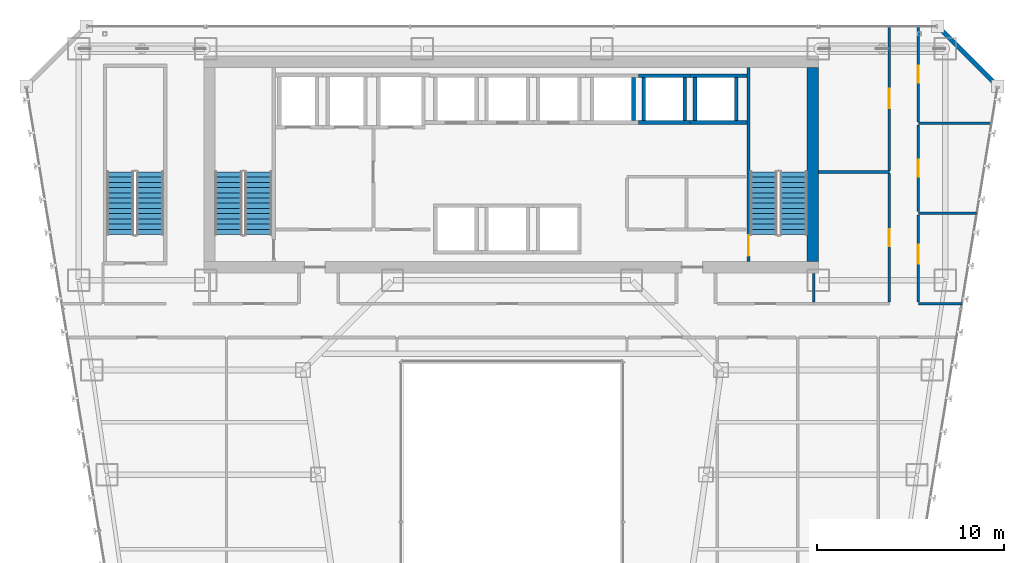
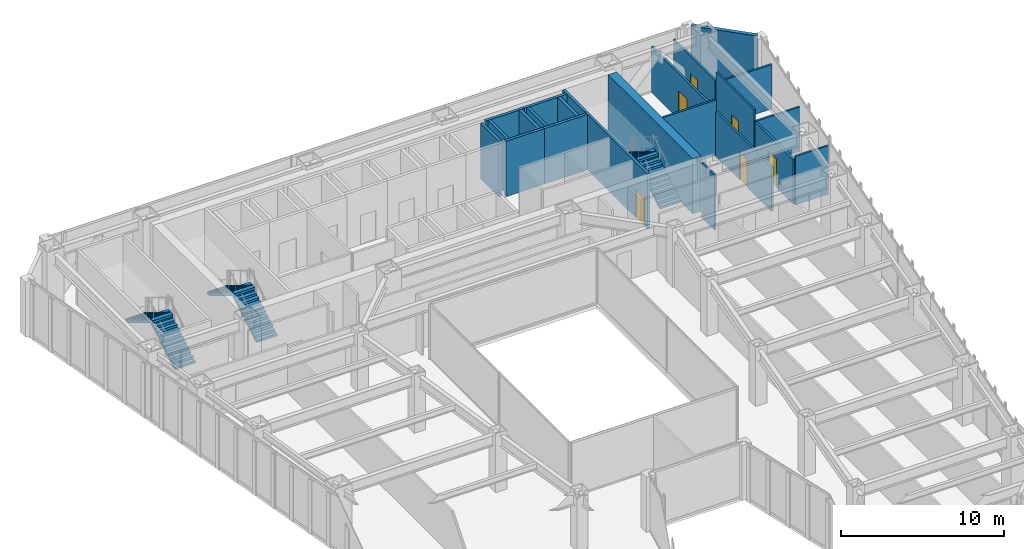
# One storey, part 38 of 47: 22 walls, 6 doors, 6 stair flights, 6 openings, 3 elements without a shape of their own.
"""IFC4 building model written with IfcOpenShell, lengths in metres."""

from ifc_helpers import new_model, si_unit, direction, frame, frame_2d, origin, place, context, subcontext, project, spatial, polyline, rectangle, outline, extrude, material, layer, layer_set, type_object, element, fill, aggregate, save


model = new_model("IFC4")

# Units and contexts
model_context = context("Model", 3, precision=1e-05, world=origin(), true_north=direction((0.0, 1.0)))
body_context = subcontext(model_context, "Body", "Model", "MODEL_VIEW")
ifc_project = project(units=[si_unit("LENGTHUNIT", "METRE"), si_unit("AREAUNIT", "SQUARE_METRE"), si_unit("VOLUMEUNIT", "CUBIC_METRE"), si_unit("PLANEANGLEUNIT", "RADIAN"), si_unit("MASSUNIT", "GRAM", prefix="KILO")], contexts=[model_context])

# Site, building, storey
site_placement = place(None, origin())
site = spatial("IfcSite", under=ifc_project, at=site_placement, CompositionType="ELEMENT")
building_placement = place(site_placement, origin())
building = spatial("IfcBuilding", under=site, at=building_placement, Name="Saevonmaru Cultural Tower", CompositionType="ELEMENT")
storey_placement = place(building_placement, frame((0.0, 0.0, 60.39990234375)))
storey = spatial("IfcBuildingStorey", under=building, at=storey_placement, Name="L12", CompositionType="ELEMENT", Elevation=60.39990234375)

# Walls
ifc_material_1 = material(Name="Concrete C60/75", Category="concrete")
ifc_layer_1 = layer(ifc_material_1, 0.60009765625, Name="Concrete C60/75")
ifc_layer_set_1 = layer_set([ifc_layer_1], Name="Concrete C60/75")
wall_type_1 = type_object("IfcWallType", Name="WL-CORE-600", PredefinedType="SHEAR", material=ifc_layer_set_1)
wall_1_placement = place(storey_placement, frame((46.10009765625, 43.39990234375, 0.0), z_axis=(0.0, 0.0, 1.0), x_axis=(0.0, 1.0, 0.0)))
element("IfcWall", 1, at=wall_1_placement, inside=storey, type_object=wall_type_1, Name="L12 Tower RC core shear wall E", PredefinedType="SHEAR", context=body_context, shape_type="SweptSolid", body=[
    extrude(rectangle(XDim=10.400146484375, YDim=0.60009765625, at=frame_2d((5.2001953125, 0.0))), origin(), (0.0, 0.0, 1.0), 4.150146484375),
])
ifc_material_2 = material(Name="Granite-Clad Precast Concrete C40/50", Category="masonry")
ifc_layer_2 = layer(ifc_material_2, 0.260009765625, Name="Granite-Clad Precast Concrete C40/50")
ifc_layer_set_2 = layer_set([ifc_layer_2], Name="Granite-Clad Precast Concrete C40/50")
wall_type_2 = type_object("IfcWallType", Name="WL-EXT-SPANDREL-260", PredefinedType="STANDARD", material=ifc_layer_set_2)
wall_2_placement = place(storey_placement, frame((55.886962890625, 52.9130859375, 0.0), z_axis=(0.0, 0.0, 1.0), x_axis=(-0.707106781187, 0.707106781187, 0.0)))
element("IfcWall", 2, at=wall_2_placement, inside=storey, type_object=wall_type_2, Name="L12 Chamfer Corner Spandrel Wall E9", PredefinedType="STANDARD", context=body_context, shape_type="SweptSolid", body=[
    extrude(rectangle(XDim=4.205810546875, YDim=0.260009765625, at=frame_2d((2.10302734375, 0.0))), origin(), (0.0, 0.0, 1.0), 4.150146484375),
])

# Wall, opening, door
ifc_material_3 = material(Name="Gypsum Fireboard Partition", Category="gypsum")
ifc_layer_3 = layer(ifc_material_3, 0.14990234375, Name="Gypsum Fireboard Partition")
ifc_layer_set_3 = layer_set([ifc_layer_3], Name="Gypsum Fireboard Partition")
wall_type_3 = type_object("IfcWallType", Name="WL-PART-FIRE-150", PredefinedType="PARTITIONING", material=ifc_layer_set_3)
wall_3_placement = place(storey_placement, frame((50.199951171875, 48.2900390625, 0.0), z_axis=(0.0, 0.0, 1.0), x_axis=(0.0, 1.0, 0.0)))
wall_3 = element("IfcWall", 3, at=wall_3_placement, inside=storey, type_object=wall_type_3, Name="L12 Permanent Exhibition Gallery Corridor Wall", PredefinedType="PARTITIONING", context=body_context, shape_type="SweptSolid", body=[
    extrude(rectangle(XDim=7.705078125, YDim=0.14990234375, at=frame_2d((3.8525390625, 0.0))), origin(), (0.0, 0.0, 1.0), 3.43505859375),
])
opening_1_placement = place(wall_3_placement, frame((3.326904296875, 0.0, 0.0)))
opening_1 = element("IfcOpeningElement", 4, at=opening_1_placement, cuts=wall_3, Name="Opening ID-1", PredefinedType="OPENING", context=body_context, shape_type="SweptSolid", body=[
    extrude(rectangle(XDim=1.050048828125, YDim=2.14990234375, at=frame_2d((0.52490234375, 1.074951171875))), frame((0.0, 0.0849609375, 0.0), z_axis=(0.0, -1.0, 0.0), x_axis=(1.0, 0.0, 0.0)), (0.0, 0.0, 1.0), 0.169921875),
])
ifc_material_4 = material(Name="Satin Bronze Anodised Aluminium", Category="aluminium")
door_type_1 = type_object("IfcDoorType", Name="DR-INT-1050", OperationType="SINGLE_SWING_LEFT", PredefinedType="DOOR", material=ifc_material_4)
door_1_placement = place(opening_1_placement, origin())
door_1 = element("IfcDoor", 5, at=door_1_placement, inside=storey, type_object=door_type_1, Name="L12 Permanent Exhibition Gallery Door", OperationType="SINGLE_SWING_LEFT", OverallHeight=2.14990234375, OverallWidth=1.050048828125, PredefinedType="DOOR", context=body_context, shape_type="SweptSolid", body=[
    extrude(rectangle(XDim=1.050048828125, YDim=2.14990234375, at=frame_2d((0.52490234375, 1.074951171875))), frame((0.0, 0.02490234375, 0.0), z_axis=(0.0, -1.0, 0.0), x_axis=(1.0, 0.0, 0.0)), (0.0, 0.0, 1.0), 0.050048828125),
])
fill(opening_1, door_1)

wall_4_placement = place(storey_placement, frame((51.75, 41.237548828125, 0.0), z_axis=(0.0, 0.0, 1.0), x_axis=(0.0, 1.0, 0.0)))
wall_4 = element("IfcWall", 6, at=wall_4_placement, inside=storey, type_object=wall_type_3, Name="L12 Chamber Rehearsal Auditorium Corridor Wall", PredefinedType="PARTITIONING", context=body_context, shape_type="SweptSolid", body=[
    extrude(rectangle(XDim=4.675048828125, YDim=0.14990234375, at=frame_2d((2.33740234375, 0.0))), origin(), (0.0, 0.0, 1.0), 3.335205078125),
])
opening_2_placement = place(wall_4_placement, frame((2.05810546875, 0.0, 0.0)))
opening_2 = element("IfcOpeningElement", 7, at=opening_2_placement, cuts=wall_4, Name="Opening ID-1B", PredefinedType="OPENING", context=body_context, shape_type="SweptSolid", body=[
    extrude(rectangle(XDim=1.0, YDim=2.14990234375, at=frame_2d((0.5, 1.074951171875))), frame((0.0, 0.0849609375, 0.0), z_axis=(0.0, -1.0, 0.0), x_axis=(1.0, 0.0, 0.0)), (0.0, 0.0, 1.0), 0.169921875),
])
ifc_material_5 = material(Name="Acoustic Stained Oak Timber", Category="wood")
door_type_2 = type_object("IfcDoorType", Name="DR-INT-1000", OperationType="SINGLE_SWING_RIGHT", PredefinedType="DOOR", material=ifc_material_5)
door_2_placement = place(opening_2_placement, origin())
door_2 = element("IfcDoor", 8, at=door_2_placement, inside=storey, type_object=door_type_2, Name="L12 Chamber Rehearsal Auditorium Door", OperationType="SINGLE_SWING_RIGHT", OverallHeight=2.14990234375, OverallWidth=1.0, PredefinedType="DOOR", context=body_context, shape_type="SweptSolid", body=[
    extrude(rectangle(XDim=1.0, YDim=2.14990234375, at=frame_2d((0.5, 1.074951171875))), frame((0.0, 0.02490234375, 0.0), z_axis=(0.0, -1.0, 0.0), x_axis=(1.0, 0.0, 0.0)), (0.0, 0.0, 1.0), 0.050048828125),
])
fill(opening_2, door_2)

ifc_layer_4 = layer(ifc_material_3, 0.1201171875, Name="Gypsum Fireboard Partition")
ifc_layer_set_4 = layer_set([ifc_layer_4], Name="Gypsum Fireboard Partition")
wall_type_4 = type_object("IfcWallType", Name="WL-PART-GYP-120", PredefinedType="PARTITIONING", material=ifc_layer_set_4)
wall_5_placement = place(storey_placement, frame((51.75, 46.08740234375, 0.0), z_axis=(0.0, 0.0, 1.0), x_axis=(0.0, 1.0, 0.0)))
wall_5 = element("IfcWall", 9, at=wall_5_placement, inside=storey, type_object=wall_type_4, Name="L12 Urban Design Meeting Room Corridor Wall", PredefinedType="PARTITIONING", context=body_context, shape_type="SweptSolid", body=[
    extrude(rectangle(XDim=4.625, YDim=0.1201171875, at=frame_2d((2.3125, 0.0))), origin(), (0.0, 0.0, 1.0), 4.150146484375),
])
opening_3_placement = place(wall_5_placement, frame((1.863037109375, 0.0, 0.0)))
opening_3 = element("IfcOpeningElement", 10, at=opening_3_placement, cuts=wall_5, Name="Opening ID-2", PredefinedType="OPENING", context=body_context, shape_type="SweptSolid", body=[
    extrude(rectangle(XDim=0.89990234375, YDim=2.10009765625, at=frame_2d((0.449951171875, 1.050048828125))), frame((0.0, 0.070068359375, 0.0), z_axis=(0.0, -1.0, 0.0), x_axis=(1.0, 0.0, 0.0)), (0.0, 0.0, 1.0), 0.14013671875),
])
door_type_3 = type_object("IfcDoorType", Name="DR-INT-900", OperationType="SINGLE_SWING_RIGHT", PredefinedType="DOOR", material=ifc_material_5)
door_3_placement = place(opening_3_placement, origin())
door_3 = element("IfcDoor", 11, at=door_3_placement, inside=storey, type_object=door_type_3, Name="L12 Urban Design Meeting Room Door", OperationType="SINGLE_SWING_LEFT", OverallHeight=2.10009765625, OverallWidth=0.89990234375, PredefinedType="DOOR", context=body_context, shape_type="SweptSolid", body=[
    extrude(rectangle(XDim=0.89990234375, YDim=2.10009765625, at=frame_2d((0.449951171875, 1.050048828125))), frame((0.0, 0.02490234375, 0.0), z_axis=(0.0, -1.0, 0.0), x_axis=(1.0, 0.0, 0.0)), (0.0, 0.0, 1.0), 0.050048828125),
])
fill(opening_3, door_3)

wall_6_placement = place(storey_placement, frame((51.75, 50.887451171875, 0.0), z_axis=(0.0, 0.0, 1.0), x_axis=(0.0, 1.0, 0.0)))
wall_6 = element("IfcWall", 12, at=wall_6_placement, inside=storey, type_object=wall_type_4, Name="L12 Calligraphy Teaching Studio Corridor Wall", PredefinedType="PARTITIONING", context=body_context, shape_type="SweptSolid", body=[
    extrude(rectangle(XDim=5.107666015625, YDim=0.1201171875, at=frame_2d((2.5537109375, 0.0))), origin(), (0.0, 0.0, 1.0), 3.43505859375),
])
opening_4_placement = place(wall_6_placement, frame((2.10400390625, 0.0, 0.0)))
opening_4 = element("IfcOpeningElement", 13, at=opening_4_placement, cuts=wall_6, Name="Opening ID-2", PredefinedType="OPENING", context=body_context, shape_type="SweptSolid", body=[
    extrude(rectangle(XDim=0.89990234375, YDim=2.10009765625, at=frame_2d((0.449951171875, 1.050048828125))), frame((0.0, 0.070068359375, 0.0), z_axis=(0.0, -1.0, 0.0), x_axis=(1.0, 0.0, 0.0)), (0.0, 0.0, 1.0), 0.14013671875),
])
door_4_placement = place(opening_4_placement, origin())
door_4 = element("IfcDoor", 14, at=door_4_placement, inside=storey, type_object=door_type_3, Name="L12 Calligraphy Teaching Studio Door", OperationType="SINGLE_SWING_RIGHT", OverallHeight=2.10009765625, OverallWidth=0.89990234375, PredefinedType="DOOR", context=body_context, shape_type="SweptSolid", body=[
    extrude(rectangle(XDim=0.89990234375, YDim=2.10009765625, at=frame_2d((0.449951171875, 1.050048828125))), frame((0.0, 0.02490234375, 0.0), z_axis=(0.0, -1.0, 0.0), x_axis=(1.0, 0.0, 0.0)), (0.0, 0.0, 1.0), 0.050048828125),
])
fill(opening_4, door_4)

# Walls
ifc_layer_5 = layer(ifc_material_3, 0.135009765625, Name="Gypsum Fireboard Partition")
ifc_layer_set_5 = layer_set([ifc_layer_5], Name="Gypsum Fireboard Partition")
wall_type_5 = type_object("IfcWallType", Name="WL-PART-GYP-135", PredefinedType="PARTITIONING", material=ifc_layer_set_5)
wall_7_placement = place(storey_placement, frame((51.75, 41.14990234375, 0.0), z_axis=(0.0, 0.0, 1.0), x_axis=(1.0, 0.0, 0.0)))
element("IfcWall", 15, at=wall_7_placement, inside=storey, type_object=wall_type_5, Name="L12 NE Wing South Wall", PredefinedType="PARTITIONING", context=body_context, shape_type="SweptSolid", body=[
    extrude(rectangle(XDim=2.3359375, YDim=0.135009765625, at=frame_2d((1.16796875, 0.0))), origin(), (0.0, 0.0, 1.0), 3.635009765625),
])
wall_8_placement = place(storey_placement, frame((51.75, 46.0, 0.0), z_axis=(0.0, 0.0, 1.0), x_axis=(1.0, 0.0, 0.0)))
element("IfcWall", 16, at=wall_8_placement, inside=storey, type_object=wall_type_5, Name="L12 NE Studio Divider 1", PredefinedType="PARTITIONING", context=body_context, shape_type="SweptSolid", body=[
    extrude(rectangle(XDim=3.130615234375, YDim=0.135009765625, at=frame_2d((1.5654296875, 0.0))), origin(), (0.0, 0.0, 1.0), 3.335205078125),
])
wall_9_placement = place(storey_placement, frame((51.75, 50.800048828125, 0.0), z_axis=(0.0, 0.0, 1.0), x_axis=(1.0, 0.0, 0.0)))
element("IfcWall", 17, at=wall_9_placement, inside=storey, type_object=wall_type_5, Name="L12 NE Studio Divider 2", PredefinedType="PARTITIONING", context=body_context, shape_type="SweptSolid", body=[
    extrude(rectangle(XDim=3.917236328125, YDim=0.135009765625, at=frame_2d((1.95849609375, 0.0))), origin(), (0.0, 0.0, 1.0), 3.335205078125),
])
ifc_layer_6 = layer(ifc_material_3, 0.139892578125, Name="Gypsum Fireboard Partition")
ifc_layer_set_6 = layer_set([ifc_layer_6], Name="Gypsum Fireboard Partition")
wall_type_6 = type_object("IfcWallType", Name="WL-PART-WET-140", PredefinedType="PARTITIONING", material=ifc_layer_set_6)
wall_10_placement = place(storey_placement, frame((46.14990234375, 41.239990234375, 0.0), z_axis=(0.0, 0.0, 1.0), x_axis=(0.0, 1.0, 0.0)))
element("IfcWall", 18, at=wall_10_placement, inside=storey, type_object=wall_type_6, Name="L12 Washroom South-West Return", PredefinedType="PARTITIONING", context=body_context, shape_type="SweptSolid", body=[
    extrude(rectangle(XDim=1.5400390625, YDim=0.139892578125, at=frame_2d((0.77001953125, 0.0))), origin(), (0.0, 0.0, 1.0), 4.150146484375),
])
wall_11_placement = place(storey_placement, frame((46.419921875, 48.199951171875, 0.0), z_axis=(0.0, 0.0, 1.0), x_axis=(1.0, 0.0, 0.0)))
element("IfcWall", 19, at=wall_11_placement, inside=storey, type_object=wall_type_6, Name="L12 Washroom North Wall", PredefinedType="PARTITIONING", context=body_context, shape_type="SweptSolid", body=[
    extrude(rectangle(XDim=3.780029296875, YDim=0.139892578125, at=frame_2d((1.89013671875, 0.0))), origin(), (0.0, 0.0, 1.0), 4.150146484375),
])

# Wall, opening, door
wall_12_placement = place(storey_placement, frame((50.199951171875, 41.239990234375, 0.0), z_axis=(0.0, 0.0, 1.0), x_axis=(0.0, 1.0, 0.0)))
wall_12 = element("IfcWall", 20, at=wall_12_placement, inside=storey, type_object=wall_type_6, Name="L12 Washroom Corridor Wall", PredefinedType="PARTITIONING", context=body_context, shape_type="SweptSolid", body=[
    extrude(rectangle(XDim=6.8701171875, YDim=0.139892578125, at=frame_2d((3.43505859375, 0.0))), origin(), (0.0, 0.0, 1.0), 3.335205078125),
])
opening_5_placement = place(wall_12_placement, frame((2.985107421875, 0.0, 0.0)))
opening_5 = element("IfcOpeningElement", 21, at=opening_5_placement, cuts=wall_12, Name="Opening ID-2", PredefinedType="OPENING", context=body_context, shape_type="SweptSolid", body=[
    extrude(rectangle(XDim=0.89990234375, YDim=2.10009765625, at=frame_2d((0.449951171875, 1.050048828125))), frame((0.0, 0.080078125, 0.0), z_axis=(0.0, -1.0, 0.0), x_axis=(1.0, 0.0, 0.0)), (0.0, 0.0, 1.0), 0.159912109375),
])
door_5_placement = place(opening_5_placement, origin())
door_5 = element("IfcDoor", 22, at=door_5_placement, inside=storey, type_object=door_type_3, Name="L12 Public Accessible Washrooms Door", OperationType="SINGLE_SWING_RIGHT", OverallHeight=2.10009765625, OverallWidth=0.89990234375, PredefinedType="DOOR", context=body_context, shape_type="SweptSolid", body=[
    extrude(rectangle(XDim=0.89990234375, YDim=2.10009765625, at=frame_2d((0.449951171875, 1.050048828125))), frame((0.0, 0.02490234375, 0.0), z_axis=(0.0, -1.0, 0.0), x_axis=(1.0, 0.0, 0.0)), (0.0, 0.0, 1.0), 0.050048828125),
])
fill(opening_5, door_5)

# Walls
ifc_material_6 = material(Name="Concrete C40/50", Category="concrete")
ifc_layer_7 = layer(ifc_material_6, 0.199951171875, Name="Concrete C40/50")
ifc_layer_set_7 = layer_set([ifc_layer_7], Name="Concrete C40/50")
wall_type_7 = type_object("IfcWallType", Name="WL-SHAFT-200", PredefinedType="SHEAR", material=ifc_layer_set_7)
wall_13_placement = place(storey_placement, frame((36.5, 50.949951171875, 0.0), z_axis=(0.0, 0.0, 1.0), x_axis=(0.0, 1.0, 0.0)))
element("IfcWall", 23, at=wall_13_placement, inside=storey, type_object=wall_type_7, Name="L12 Lift PL-H1 Hoistway Wall E", PredefinedType="SHEAR", context=body_context, shape_type="SweptSolid", body=[
    extrude(rectangle(XDim=2.300048828125, YDim=0.199951171875, at=frame_2d((1.14990234375, 0.0))), origin(), (0.0, 0.0, 1.0), 4.150146484375),
])
for number, where, z_axis, x_axis, name in (
    (24, (36.77490234375, 50.85009765625, 0.0), (0.0, 0.0, 1.0), (1.0, 0.0, 0.0), "L12 Lift PL-H2 Hoistway Wall S"),
    (25, (36.77490234375, 53.35009765625, 0.0), (0.0, 0.0, 1.0), (1.0, 0.0, 0.0), "L12 Lift PL-H2 Hoistway Wall N"),
):
    element("IfcWall", number, at=place(storey_placement, frame(where, z_axis=z_axis, x_axis=x_axis)), inside=storey, type_object=wall_type_7, Name=name, PredefinedType="SHEAR", context=body_context, shape_type="SweptSolid", body=[
        extrude(rectangle(XDim=2.75, YDim=0.199951171875, at=frame_2d((1.375, 0.0))), origin(), (0.0, 0.0, 1.0), 4.150146484375),
    ])
for number, where, z_axis, x_axis, name in (
    (26, (37.050048828125, 50.949951171875, 0.0), (0.0, 0.0, 1.0), (0.0, 1.0, 0.0), "L12 Lift PL-H2 Hoistway Wall W"),
    (27, (39.25, 50.949951171875, 0.0), (0.0, 0.0, 1.0), (0.0, 1.0, 0.0), "L12 Lift PL-H2 Hoistway Wall E"),
):
    element("IfcWall", number, at=place(storey_placement, frame(where, z_axis=z_axis, x_axis=x_axis)), inside=storey, type_object=wall_type_7, Name=name, PredefinedType="SHEAR", context=body_context, shape_type="SweptSolid", body=[
        extrude(rectangle(XDim=2.300048828125, YDim=0.199951171875, at=frame_2d((1.14990234375, 0.0))), origin(), (0.0, 0.0, 1.0), 4.150146484375),
    ])
for number, where, z_axis, x_axis, name in (
    (28, (39.52490234375, 50.85009765625, 0.0), (0.0, 0.0, 1.0), (1.0, 0.0, 0.0), "L12 Lift PL-H3 Hoistway Wall S"),
    (29, (39.52490234375, 53.35009765625, 0.0), (0.0, 0.0, 1.0), (1.0, 0.0, 0.0), "L12 Lift PL-H3 Hoistway Wall N"),
):
    element("IfcWall", number, at=place(storey_placement, frame(where, z_axis=z_axis, x_axis=x_axis)), inside=storey, type_object=wall_type_7, Name=name, PredefinedType="SHEAR", context=body_context, shape_type="SweptSolid", body=[
        extrude(rectangle(XDim=3.045166015625, YDim=0.199951171875, at=frame_2d((1.5224609375, 0.0))), origin(), (0.0, 0.0, 1.0), 4.150146484375),
    ])
for number, where, z_axis, x_axis, name in (
    (30, (39.800048828125, 50.949951171875, 0.0), (0.0, 0.0, 1.0), (0.0, 1.0, 0.0), "L12 Lift PL-H3 Hoistway Wall W"),
    (31, (42.0, 50.949951171875, 0.0), (0.0, 0.0, 1.0), (0.0, 1.0, 0.0), "L12 Lift PL-H3 Hoistway Wall E"),
):
    element("IfcWall", number, at=place(storey_placement, frame(where, z_axis=z_axis, x_axis=x_axis)), inside=storey, type_object=wall_type_7, Name=name, PredefinedType="SHEAR", context=body_context, shape_type="SweptSolid", body=[
        extrude(rectangle(XDim=2.300048828125, YDim=0.199951171875, at=frame_2d((1.14990234375, 0.0))), origin(), (0.0, 0.0, 1.0), 4.150146484375),
    ])

# Wall, opening, door
ifc_layer_8 = layer(ifc_material_6, 0.179931640625, Name="Concrete C40/50")
ifc_layer_set_8 = layer_set([ifc_layer_8], Name="Concrete C40/50")
wall_type_8 = type_object("IfcWallType", Name="WL-STSHAFT-180", PredefinedType="SHEAR", material=ifc_layer_set_8)
wall_14_placement = place(storey_placement, frame((42.659912109375, 53.800048828125, 0.0), z_axis=(0.0, 0.0, 1.0), x_axis=(0.0, -1.0, 0.0)))
wall_14 = element("IfcWall", 32, at=wall_14_placement, inside=storey, type_object=wall_type_8, Name="L12 Stair ST-2 Structural Shaft Wall 1", PredefinedType="SHEAR", context=body_context, shape_type="SweptSolid", body=[
    extrude(rectangle(XDim=10.400146484375, YDim=0.179931640625, at=frame_2d((5.2001953125, 0.0))), origin(), (0.0, 0.0, 1.0), 4.150146484375),
])
opening_6_placement = place(wall_14_placement, frame((8.989990234375, 0.0, 0.0)))
opening_6 = element("IfcOpeningElement", 33, at=opening_6_placement, cuts=wall_14, Name="Opening FD-2", PredefinedType="OPENING", context=body_context, shape_type="SweptSolid", body=[
    extrude(rectangle(XDim=1.10009765625, YDim=2.14990234375, at=frame_2d((0.550048828125, 1.074951171875))), frame((0.0, 0.10009765625, 0.0), z_axis=(0.0, -1.0, 0.0), x_axis=(1.0, 0.0, 0.0)), (0.0, 0.0, 1.0), 0.199951171875),
])
door_type_4 = type_object("IfcDoorType", Name="DR-FD60-1100", OperationType="SINGLE_SWING_LEFT", PredefinedType="DOOR", material=ifc_material_4)
door_6_placement = place(opening_6_placement, origin())
door_6 = element("IfcDoor", 34, at=door_6_placement, inside=storey, type_object=door_type_4, Name="L12 Protected Stair ST-2 Fire Door", OperationType="SINGLE_SWING_LEFT", OverallHeight=2.14990234375, OverallWidth=1.10009765625, PredefinedType="DOOR", context=body_context, shape_type="SweptSolid", body=[
    extrude(rectangle(XDim=1.10009765625, YDim=2.14990234375, at=frame_2d((0.550048828125, 1.074951171875))), frame((0.0, 0.02490234375, 0.0), z_axis=(0.0, -1.0, 0.0), x_axis=(1.0, 0.0, 0.0)), (0.0, 0.0, 1.0), 0.050048828125),
])
fill(opening_6, door_6)

# Stair, stair flights
stair_type = type_object("IfcStairType", Name="STR-DOGLEG-RC", PredefinedType="HALF_TURN_STAIR", material=ifc_material_6)
stair_1_placement = place(storey_placement, origin())
stair_1 = element("IfcStair", 35, at=stair_1_placement, inside=storey, type_object=stair_type, Name="L12 Protected exit stair ST-1", PredefinedType="HALF_TURN_STAIR")
ifc_material_7 = material(Name="Precast concrete C40/50", Category="concrete")
stair_flight_type = type_object("IfcStairFlightType", Name="STF-PRECAST-180", PredefinedType="STRAIGHT", material=ifc_material_7)
stair_flight_1_placement = place(storey_placement, frame((16.425048828125, 44.85009765625, 0.0), z_axis=(0.0, 0.0, 1.0), x_axis=(0.0, 1.0, 0.0)))
stair_flight_1 = element("IfcStairFlight", 36, at=stair_flight_1_placement, type_object=stair_flight_type, Name="ST-1-L12 flight 1", NumberOfRisers=13, NumberOfTreads=12, PredefinedType="STRAIGHT", RiserHeight=0.169230769, TreadLength=0.28, context=body_context, shape_type="SweptSolid", body=[
    extrude(outline(polyline([(0.0, 0.0), (0.0, 0.169189453125), (0.280029296875, 0.169189453125), (0.280029296875, 0.33837890625), (0.56005859375, 0.33837890625), (0.56005859375, 0.5078125), (0.840087890625, 0.5078125), (0.840087890625, 0.677001953125), (1.1201171875, 0.677001953125), (1.1201171875, 0.84619140625), (1.39990234375, 0.84619140625), (1.39990234375, 1.015380859375), (1.679931640625, 1.015380859375), (1.679931640625, 1.1845703125), (1.9599609375, 1.1845703125), (1.9599609375, 1.353759765625), (2.239990234375, 1.353759765625), (2.239990234375, 1.523193359375), (2.52001953125, 1.523193359375), (2.52001953125, 1.6923828125), (2.800048828125, 1.6923828125), (2.800048828125, 1.861572265625), (3.080078125, 1.861572265625), (3.080078125, 2.03076171875), (3.360107421875, 2.03076171875), (3.360107421875, 2.199951171875), (3.360107421875, 1.855712890625), (0.289794921875, 0.0), (0.0, 0.0)])), frame((0.0, 0.72509765625, 0.0), z_axis=(0.0, -1.0, 0.0), x_axis=(1.0, 0.0, 0.0)), (0.0, 0.0, 1.0), 1.449951171875),
])
stair_flight_2_placement = place(storey_placement, frame((14.824951171875, 48.2099609375, 2.2001953125), z_axis=(0.0, 0.0, 1.0), x_axis=(0.0, -1.0, 0.0)))
stair_flight_2 = element("IfcStairFlight", 37, at=stair_flight_2_placement, type_object=stair_flight_type, Name="ST-1-L12 flight 2", NumberOfRisers=13, NumberOfTreads=12, PredefinedType="STRAIGHT", RiserHeight=0.169230769, TreadLength=0.28, context=body_context, shape_type="SweptSolid", body=[
    extrude(outline(polyline([(0.0, 0.0), (0.0, 0.169189453125), (0.280029296875, 0.169189453125), (0.280029296875, 0.33837890625), (0.56005859375, 0.33837890625), (0.56005859375, 0.5078125), (0.840087890625, 0.5078125), (0.840087890625, 0.677001953125), (1.1201171875, 0.677001953125), (1.1201171875, 0.84619140625), (1.39990234375, 0.84619140625), (1.39990234375, 1.015380859375), (1.679931640625, 1.015380859375), (1.679931640625, 1.1845703125), (1.9599609375, 1.1845703125), (1.9599609375, 1.353759765625), (2.239990234375, 1.353759765625), (2.239990234375, 1.523193359375), (2.52001953125, 1.523193359375), (2.52001953125, 1.6923828125), (2.800048828125, 1.6923828125), (2.800048828125, 1.861572265625), (3.080078125, 1.861572265625), (3.080078125, 2.03076171875), (3.360107421875, 2.03076171875), (3.360107421875, 2.199951171875), (3.360107421875, 1.855712890625), (0.289794921875, 0.0), (0.0, 0.0)])), frame((0.0, 0.72509765625, 0.0), z_axis=(0.0, -1.0, 0.0), x_axis=(1.0, 0.0, 0.0)), (0.0, 0.0, 1.0), 1.449951171875),
])
aggregate(stair_1, [stair_flight_1, stair_flight_2])

stair_2_placement = place(storey_placement, origin())
stair_2 = element("IfcStair", 38, at=stair_2_placement, inside=storey, type_object=stair_type, Name="L12 Protected exit stair ST-2", PredefinedType="HALF_TURN_STAIR")
stair_flight_3_placement = place(storey_placement, frame((45.074951171875, 44.85009765625, 0.0), z_axis=(0.0, 0.0, 1.0), x_axis=(0.0, 1.0, 0.0)))
stair_flight_3 = element("IfcStairFlight", 39, at=stair_flight_3_placement, type_object=stair_flight_type, Name="ST-2-L12 flight 1", NumberOfRisers=13, NumberOfTreads=12, PredefinedType="STRAIGHT", RiserHeight=0.169230769, TreadLength=0.28, context=body_context, shape_type="SweptSolid", body=[
    extrude(outline(polyline([(0.0, 0.0), (0.0, 0.169189453125), (0.280029296875, 0.169189453125), (0.280029296875, 0.33837890625), (0.56005859375, 0.33837890625), (0.56005859375, 0.5078125), (0.840087890625, 0.5078125), (0.840087890625, 0.677001953125), (1.1201171875, 0.677001953125), (1.1201171875, 0.84619140625), (1.39990234375, 0.84619140625), (1.39990234375, 1.015380859375), (1.679931640625, 1.015380859375), (1.679931640625, 1.1845703125), (1.9599609375, 1.1845703125), (1.9599609375, 1.353759765625), (2.239990234375, 1.353759765625), (2.239990234375, 1.523193359375), (2.52001953125, 1.523193359375), (2.52001953125, 1.6923828125), (2.800048828125, 1.6923828125), (2.800048828125, 1.861572265625), (3.080078125, 1.861572265625), (3.080078125, 2.03076171875), (3.360107421875, 2.03076171875), (3.360107421875, 2.199951171875), (3.360107421875, 1.855712890625), (0.289794921875, 0.0), (0.0, 0.0)])), frame((0.0, 0.72509765625, 0.0), z_axis=(0.0, -1.0, 0.0), x_axis=(1.0, 0.0, 0.0)), (0.0, 0.0, 1.0), 1.449951171875),
])
stair_flight_4_placement = place(storey_placement, frame((43.47509765625, 48.2099609375, 2.2001953125), z_axis=(0.0, 0.0, 1.0), x_axis=(0.0, -1.0, 0.0)))
stair_flight_4 = element("IfcStairFlight", 40, at=stair_flight_4_placement, type_object=stair_flight_type, Name="ST-2-L12 flight 2", NumberOfRisers=13, NumberOfTreads=12, PredefinedType="STRAIGHT", RiserHeight=0.169230769, TreadLength=0.28, context=body_context, shape_type="SweptSolid", body=[
    extrude(outline(polyline([(0.0, 0.0), (0.0, 0.169189453125), (0.280029296875, 0.169189453125), (0.280029296875, 0.33837890625), (0.56005859375, 0.33837890625), (0.56005859375, 0.5078125), (0.840087890625, 0.5078125), (0.840087890625, 0.677001953125), (1.1201171875, 0.677001953125), (1.1201171875, 0.84619140625), (1.39990234375, 0.84619140625), (1.39990234375, 1.015380859375), (1.679931640625, 1.015380859375), (1.679931640625, 1.1845703125), (1.9599609375, 1.1845703125), (1.9599609375, 1.353759765625), (2.239990234375, 1.353759765625), (2.239990234375, 1.523193359375), (2.52001953125, 1.523193359375), (2.52001953125, 1.6923828125), (2.800048828125, 1.6923828125), (2.800048828125, 1.861572265625), (3.080078125, 1.861572265625), (3.080078125, 2.03076171875), (3.360107421875, 2.03076171875), (3.360107421875, 2.199951171875), (3.360107421875, 1.855712890625), (0.289794921875, 0.0), (0.0, 0.0)])), frame((0.0, 0.72509765625, 0.0), z_axis=(0.0, -1.0, 0.0), x_axis=(1.0, 0.0, 0.0)), (0.0, 0.0, 1.0), 1.449951171875),
])
aggregate(stair_2, [stair_flight_3, stair_flight_4])

stair_3_placement = place(storey_placement, origin())
stair_3 = element("IfcStair", 41, at=stair_3_placement, inside=storey, type_object=stair_type, Name="L12 Protected exit stair ST-3", PredefinedType="HALF_TURN_STAIR")
stair_flight_5_placement = place(storey_placement, frame((10.625, 44.85009765625, 0.0), z_axis=(0.0, 0.0, 1.0), x_axis=(0.0, 1.0, 0.0)))
stair_flight_5 = element("IfcStairFlight", 42, at=stair_flight_5_placement, type_object=stair_flight_type, Name="ST-3-L12 flight 1", NumberOfRisers=13, NumberOfTreads=12, PredefinedType="STRAIGHT", RiserHeight=0.169230769, TreadLength=0.28, context=body_context, shape_type="SweptSolid", body=[
    extrude(outline(polyline([(0.0, 0.0), (0.0, 0.169189453125), (0.280029296875, 0.169189453125), (0.280029296875, 0.33837890625), (0.56005859375, 0.33837890625), (0.56005859375, 0.5078125), (0.840087890625, 0.5078125), (0.840087890625, 0.677001953125), (1.1201171875, 0.677001953125), (1.1201171875, 0.84619140625), (1.39990234375, 0.84619140625), (1.39990234375, 1.015380859375), (1.679931640625, 1.015380859375), (1.679931640625, 1.1845703125), (1.9599609375, 1.1845703125), (1.9599609375, 1.353759765625), (2.239990234375, 1.353759765625), (2.239990234375, 1.523193359375), (2.52001953125, 1.523193359375), (2.52001953125, 1.6923828125), (2.800048828125, 1.6923828125), (2.800048828125, 1.861572265625), (3.080078125, 1.861572265625), (3.080078125, 2.03076171875), (3.360107421875, 2.03076171875), (3.360107421875, 2.199951171875), (3.360107421875, 1.855712890625), (0.289794921875, 0.0), (0.0, 0.0)])), frame((0.0, 0.72509765625, 0.0), z_axis=(0.0, -1.0, 0.0), x_axis=(1.0, 0.0, 0.0)), (0.0, 0.0, 1.0), 1.449951171875),
])
stair_flight_6_placement = place(storey_placement, frame((9.02490234375, 48.2099609375, 2.2001953125), z_axis=(0.0, 0.0, 1.0), x_axis=(0.0, -1.0, 0.0)))
stair_flight_6 = element("IfcStairFlight", 43, at=stair_flight_6_placement, type_object=stair_flight_type, Name="ST-3-L12 flight 2", NumberOfRisers=13, NumberOfTreads=12, PredefinedType="STRAIGHT", RiserHeight=0.169230769, TreadLength=0.28, context=body_context, shape_type="SweptSolid", body=[
    extrude(outline(polyline([(0.0, 0.0), (0.0, 0.169189453125), (0.280029296875, 0.169189453125), (0.280029296875, 0.33837890625), (0.56005859375, 0.33837890625), (0.56005859375, 0.5078125), (0.840087890625, 0.5078125), (0.840087890625, 0.677001953125), (1.1201171875, 0.677001953125), (1.1201171875, 0.84619140625), (1.39990234375, 0.84619140625), (1.39990234375, 1.015380859375), (1.679931640625, 1.015380859375), (1.679931640625, 1.1845703125), (1.9599609375, 1.1845703125), (1.9599609375, 1.353759765625), (2.239990234375, 1.353759765625), (2.239990234375, 1.523193359375), (2.52001953125, 1.523193359375), (2.52001953125, 1.6923828125), (2.800048828125, 1.6923828125), (2.800048828125, 1.861572265625), (3.080078125, 1.861572265625), (3.080078125, 2.03076171875), (3.360107421875, 2.03076171875), (3.360107421875, 2.199951171875), (3.360107421875, 1.855712890625), (0.289794921875, 0.0), (0.0, 0.0)])), frame((0.0, 0.72509765625, 0.0), z_axis=(0.0, -1.0, 0.0), x_axis=(1.0, 0.0, 0.0)), (0.0, 0.0, 1.0), 1.449951171875),
])
aggregate(stair_3, [stair_flight_5, stair_flight_6])

save(model, "model.ifc")
